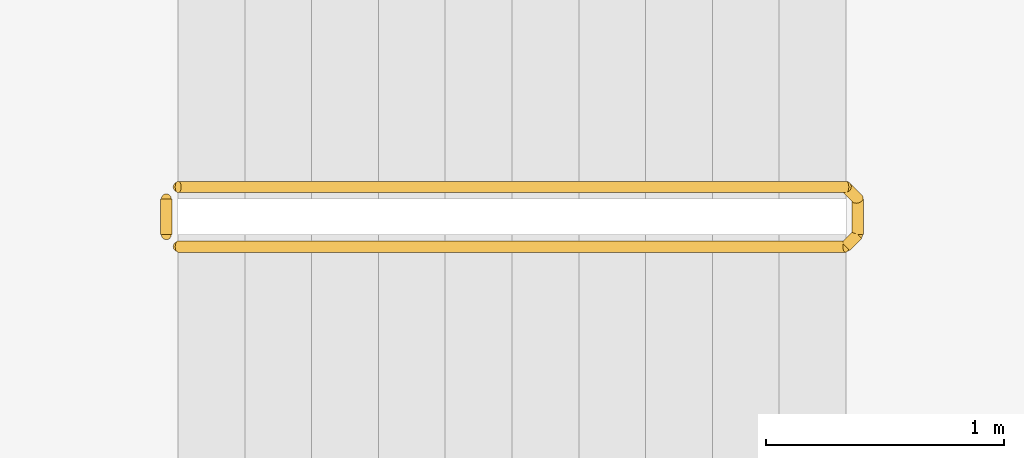
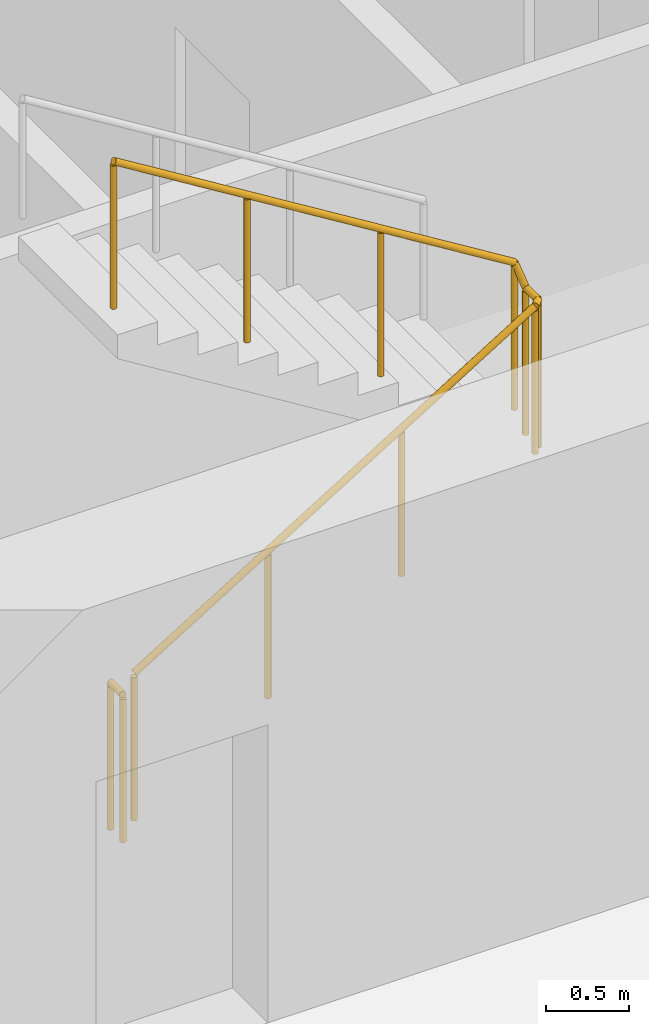
# One storey, part 10 of 14: 2 railings.
"""IFC4 building model written with IfcOpenShell, lengths in metres."""

from ifc_helpers import new_model, si_unit, direction, frame, origin, origin_2d, place, context, subcontext, project, spatial, circle, extrude, material, type_object, element, save


model = new_model("IFC4")

# Units and contexts
model_context = context("Model", 3, precision=1e-05, world=origin(), true_north=direction((0.0, 1.0)))
body_context = subcontext(model_context, "Body", "Model", "MODEL_VIEW")
ifc_project = project(units=[si_unit("LENGTHUNIT", "METRE"), si_unit("AREAUNIT", "SQUARE_METRE"), si_unit("VOLUMEUNIT", "CUBIC_METRE"), si_unit("PLANEANGLEUNIT", "RADIAN"), si_unit("MASSUNIT", "GRAM", prefix="KILO")], contexts=[model_context])

# Site, building, storey
site_placement = place(None, origin())
site = spatial("IfcSite", under=ifc_project, at=site_placement, CompositionType="ELEMENT")
building_placement = place(site_placement, origin())
building = spatial("IfcBuilding", under=site, at=building_placement, Name="Orbiselva Terraces", CompositionType="ELEMENT")
storey_placement = place(building_placement, frame((0.0, 0.0, 41.6)))
storey = spatial("IfcBuildingStorey", under=building, at=storey_placement, Name="L10", CompositionType="ELEMENT", Elevation=41.6)

# Railings
ifc_material = material(Name="Stainless steel", Category="steel")
railing_type = type_object("IfcRailingType", Name="CORE-GUARD-1100", PredefinedType="GUARDRAIL", material=ifc_material)
railing_1_placement = place(storey_placement, frame((-7.15, 6.55, 0.172727)))
element("IfcRailing", 1, at=railing_1_placement, inside=storey, type_object=railing_type, Name="L10 S3 stair guard 1", PredefinedType="GUARDRAIL", context=body_context, shape_type="SweptSolid", body=[
    extrude(circle(Radius=0.024, at=origin_2d()), frame((0.0, 0.0, 1.081), z_axis=(0.851088519012, 0.0, 0.52502222125), x_axis=(0.0, 1.0, 0.0)), (0.0, 0.0, 1.0), 3.289905),
    extrude(circle(Radius=0.024, at=origin_2d()), frame((2.8, 0.0, 2.808273), z_axis=(0.707106781187, 0.707106781187, 0.0), x_axis=(-0.707106781187, 0.707106781187, 0.0)), (0.0, 0.0, 1.0), 0.070711),
    extrude(circle(Radius=0.024, at=origin_2d()), frame((2.85, 0.05, 2.808273), z_axis=(0.0, 1.0, 0.0), x_axis=(-1.0, 0.0, 0.0)), (0.0, 0.0, 1.0), 0.15),
    extrude(circle(Radius=0.024, at=origin_2d()), frame((2.85, 0.2, 2.808273), z_axis=(-0.267894925557, 0.267894925557, 0.925453736133), x_axis=(-0.707106781187, -0.707106781187, 0.0)), (0.0, 0.0, 1.0), 0.18664),
    extrude(circle(Radius=0.024, at=origin_2d()), frame((2.8, 0.25, 2.981), z_axis=(-0.851088519012, 0.0, 0.52502222125), x_axis=(0.0, -1.0, 0.0)), (0.0, 0.0, 1.0), 3.289905),
    extrude(circle(Radius=0.021, at=origin_2d()), origin(), (0.0, 0.0, 1.0), 1.057),
    extrude(circle(Radius=0.021, at=origin_2d()), frame((0.933333, 0.0, 0.575758)), (0.0, 0.0, 1.0), 1.057),
    extrude(circle(Radius=0.021, at=origin_2d()), frame((1.866667, 0.0, 1.151515)), (0.0, 0.0, 1.0), 1.057),
    extrude(circle(Radius=0.021, at=origin_2d()), frame((2.8, 0.0, 1.727273)), (0.0, 0.0, 1.0), 1.057),
    extrude(circle(Radius=0.021, at=origin_2d()), frame((2.85, 0.05, 1.727273)), (0.0, 0.0, 1.0), 1.057),
    extrude(circle(Radius=0.021, at=origin_2d()), frame((2.85, 0.2, 1.727273)), (0.0, 0.0, 1.0), 1.057),
    extrude(circle(Radius=0.021, at=origin_2d()), frame((2.8, 0.25, 1.9)), (0.0, 0.0, 1.0), 1.057),
    extrude(circle(Radius=0.021, at=origin_2d()), frame((1.866667, 0.25, 2.475758)), (0.0, 0.0, 1.0), 1.057),
    extrude(circle(Radius=0.021, at=origin_2d()), frame((0.933333, 0.25, 3.051515)), (0.0, 0.0, 1.0), 1.057),
    extrude(circle(Radius=0.021, at=origin_2d()), frame((0.0, 0.25, 3.627273)), (0.0, 0.0, 1.0), 1.057),
])
railing_2_placement = place(storey_placement, frame((-7.2, 6.6, 0.0)))
element("IfcRailing", 2, at=railing_2_placement, inside=storey, type_object=railing_type, Name="L10 S3 stair guard 2", PredefinedType="GUARDRAIL", context=body_context, shape_type="SweptSolid", body=[
    extrude(circle(Radius=0.024, at=origin_2d()), frame((0.0, 0.0, 1.081), z_axis=(0.0, 1.0, 0.0), x_axis=(-1.0, 0.0, 0.0)), (0.0, 0.0, 1.0), 0.15),
    extrude(circle(Radius=0.021, at=origin_2d()), origin(), (0.0, 0.0, 1.0), 1.057),
    extrude(circle(Radius=0.021, at=origin_2d()), frame((0.0, 0.15, 0.0)), (0.0, 0.0, 1.0), 1.057),
])

save(model, "model.ifc")
